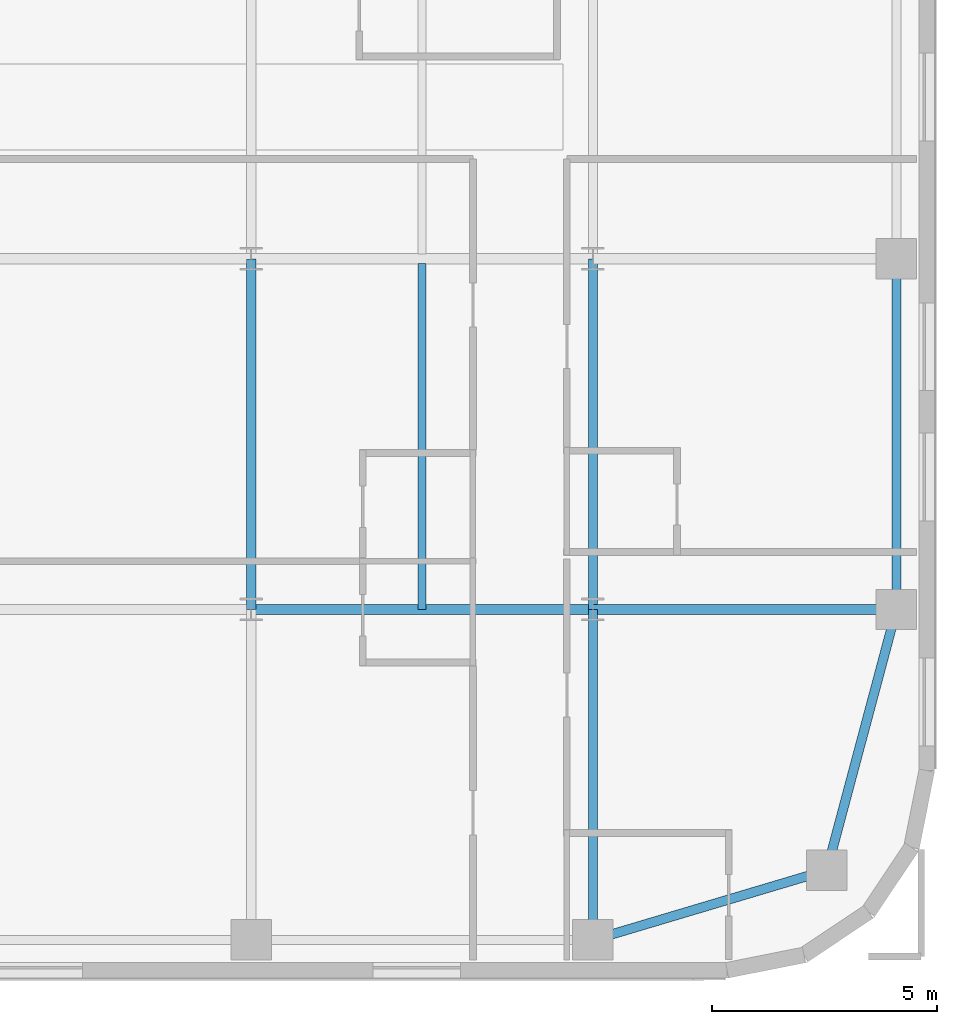
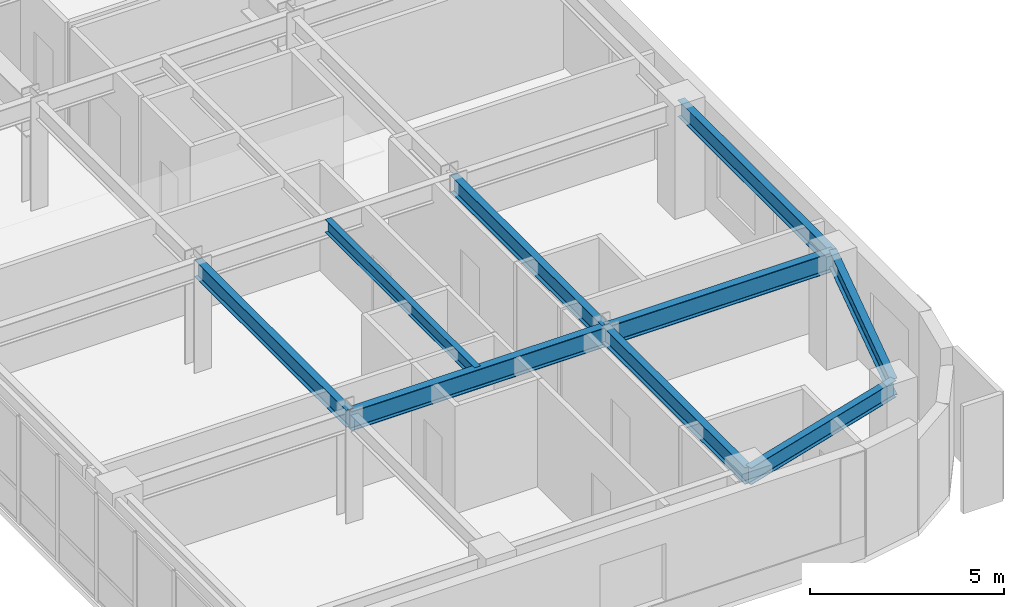
# One storey, part 10 of 24: 9 beams.
"""IFC4 building model written with IfcOpenShell, lengths in metres."""

from ifc_helpers import new_model, si_unit, direction, frame, origin, origin_2d, place, context, subcontext, project, spatial, i_section, extrude, source, transform, mapped, material, material_profile, profile_set, type_object, type_shapes, element, save


model = new_model("IFC4")

# Units and contexts
model_context = context("Model", 3, precision=1e-05, world=origin(), true_north=direction((0.0, 1.0)))
body_context = subcontext(model_context, "Body", "Model", "MODEL_VIEW")
ifc_project = project(units=[si_unit("LENGTHUNIT", "METRE"), si_unit("AREAUNIT", "SQUARE_METRE"), si_unit("VOLUMEUNIT", "CUBIC_METRE"), si_unit("PLANEANGLEUNIT", "RADIAN"), si_unit("MASSUNIT", "GRAM", prefix="KILO")], contexts=[model_context])

# Site, building, storey
site_placement = place(None, origin())
site = spatial("IfcSite", under=ifc_project, at=site_placement, CompositionType="ELEMENT")
building_placement = place(site_placement, origin())
building = spatial("IfcBuilding", under=site, at=building_placement, Name="Tolvann Quenvar Hotel", CompositionType="ELEMENT")
storey_placement = place(building_placement, frame((0.0, 0.0, 88.800048828125)))
storey = spatial("IfcBuildingStorey", under=building, at=storey_placement, Name="L22", CompositionType="ELEMENT", Elevation=88.800048828125)

# Beams
ifc_material = material(Name="Steel Grade 350", Category="steel")
ifc_material_profile_1 = material_profile(ifc_material, i_section(OverallWidth=0.208984375, OverallDepth=0.528076171875, WebThickness=0.009521484375, FlangeThickness=0.01318359375, FilletRadius=0.013916015625, at=origin_2d()), Name="530UB82")
ifc_profile_set_1 = profile_set([ifc_material_profile_1], Name="Steel Grade 350")
beam_type_1 = type_object("IfcBeamType", Name="BM_SPAND_530UB82", PredefinedType="SPANDREL", material=ifc_profile_set_1)
shared_shape_1 = source(origin(), body_context, "Body", "SweptSolid", [
    extrude(i_section(OverallWidth=0.208984375, OverallDepth=0.528076171875, WebThickness=0.009521484375, FlangeThickness=0.01318359375, FilletRadius=0.013916015625, at=origin_2d()), origin(), (0.0, 0.0, 1.0), 5.42626953125),
])
beam_1_placement = place(storey_placement, frame((49.39990234375, 0.85009765625, 3.10595703125), z_axis=(0.958344815522, 0.285613750654, 0.0), x_axis=(-0.285613750654, 0.958344815522, 0.0)))
element("IfcBeam", 1, at=beam_1_placement, inside=storey, type_object=beam_type_1, Name="BM-L22-EW-2-I2-J2", PredefinedType="SPANDREL", context=body_context, shape_type="MappedRepresentation", body=[
    mapped(shared_shape_1, transform((0.0, 0.0, 0.0), x_axis=(1.0, 0.0, 0.0), y_axis=(0.0, 1.0, 0.0), z_axis=(0.0, 0.0, 1.0), scale=1.0)),
])
ifc_material_profile_2 = material_profile(ifc_material, i_section(OverallWidth=0.22900390625, OverallDepth=0.612060546875, WebThickness=0.011962890625, FlangeThickness=0.01953125, FilletRadius=0.013916015625, at=origin_2d()), Name="610UB125")
ifc_profile_set_2 = profile_set([ifc_material_profile_2], Name="Steel Grade 350")
beam_type_2 = type_object("IfcBeamType", Name="BM_GIRD_610UB125", PredefinedType="BEAM", material=ifc_profile_set_2)
shared_shape_2 = source(origin(), body_context, "Body", "SweptSolid", [
    extrude(i_section(OverallWidth=0.22900390625, OverallDepth=0.612060546875, WebThickness=0.011962890625, FlangeThickness=0.01953125, FilletRadius=0.013916015625, at=origin_2d()), origin(), (0.0, 0.0, 1.0), 6.75),
])
beam_2_placement = place(storey_placement, frame((49.39990234375, 8.199951171875, 3.06396484375), z_axis=(1.0, 0.0, 0.0), x_axis=(0.0, 1.0, 0.0)))
element("IfcBeam", 2, at=beam_2_placement, inside=storey, type_object=beam_type_2, Name="BM-L22-EW-3-I3-J3", PredefinedType="BEAM", context=body_context, shape_type="MappedRepresentation", body=[
    mapped(shared_shape_2, transform((0.0, 0.0, 0.0), x_axis=(1.0, 0.0, 0.0), y_axis=(0.0, 1.0, 0.0), z_axis=(0.0, 0.0, 1.0), scale=1.0)),
])
shared_shape_3 = source(origin(), body_context, "Body", "SweptSolid", [
    extrude(i_section(OverallWidth=0.22900390625, OverallDepth=0.612060546875, WebThickness=0.011962890625, FlangeThickness=0.01953125, FilletRadius=0.013916015625, at=origin_2d()), origin(), (0.0, 0.0, 1.0), 7.599853515625),
])
type_shapes(beam_type_2, [shared_shape_2, shared_shape_3])
beam_3_placement = place(storey_placement, frame((41.800048828125, 8.199951171875, 3.06396484375), z_axis=(1.0, 0.0, 0.0), x_axis=(0.0, 1.0, 0.0)))
element("IfcBeam", 3, at=beam_3_placement, inside=storey, type_object=beam_type_2, Name="BM-L22-EW-3-H3-I3", PredefinedType="BEAM", context=body_context, shape_type="MappedRepresentation", body=[
    mapped(shared_shape_3, transform((0.0, 0.0, 0.0), x_axis=(1.0, 0.0, 0.0), y_axis=(0.0, 1.0, 0.0), z_axis=(0.0, 0.0, 1.0), scale=1.0)),
])
shared_shape_4 = source(origin(), body_context, "Body", "SweptSolid", [
    extrude(i_section(OverallWidth=0.208984375, OverallDepth=0.528076171875, WebThickness=0.009521484375, FlangeThickness=0.01318359375, FilletRadius=0.013916015625, at=origin_2d()), origin(), (0.0, 0.0, 1.0), 6.00341796875),
])
beam_4_placement = place(storey_placement, frame((54.60009765625, 2.39990234375, 3.10595703125), z_axis=(0.258148586649, 0.966105225745, 0.0), x_axis=(-0.966105225745, 0.258148586649, 0.0)))
element("IfcBeam", 4, at=beam_4_placement, inside=storey, type_object=beam_type_1, Name="BM-L22-NS-J2-J3", PredefinedType="SPANDREL", context=body_context, shape_type="MappedRepresentation", body=[
    mapped(shared_shape_4, transform((0.0, 0.0, 0.0), x_axis=(1.0, 0.0, 0.0), y_axis=(0.0, 1.0, 0.0), z_axis=(0.0, 0.0, 1.0), scale=1.0)),
])
shared_shape_5 = source(origin(), body_context, "Body", "SweptSolid", [
    extrude(i_section(OverallWidth=0.208984375, OverallDepth=0.528076171875, WebThickness=0.009521484375, FlangeThickness=0.01318359375, FilletRadius=0.013916015625, at=origin_2d()), origin(), (0.0, 0.0, 1.0), 7.800048828125),
])
type_shapes(beam_type_1, [shared_shape_1, shared_shape_4, shared_shape_5])
beam_5_placement = place(storey_placement, frame((56.14990234375, 8.199951171875, 3.10595703125), z_axis=(0.0, 1.0, 0.0), x_axis=(-1.0, 0.0, 0.0)))
element("IfcBeam", 5, at=beam_5_placement, inside=storey, type_object=beam_type_1, Name="BM-L22-NS-J3-J4", PredefinedType="SPANDREL", context=body_context, shape_type="MappedRepresentation", body=[
    mapped(shared_shape_5, transform((0.0, 0.0, 0.0), x_axis=(1.0, 0.0, 0.0), y_axis=(0.0, 1.0, 0.0), z_axis=(0.0, 0.0, 1.0), scale=1.0)),
])
ifc_material_profile_3 = material_profile(ifc_material, i_section(OverallWidth=0.208984375, OverallDepth=0.532958984375, WebThickness=0.01025390625, FlangeThickness=0.015625, FilletRadius=0.013916015625, at=origin_2d()), Name="530UB92")
ifc_profile_set_3 = profile_set([ifc_material_profile_3], Name="Steel Grade 350")
beam_type_3 = type_object("IfcBeamType", Name="BM_GIRD_530UB92", PredefinedType="BEAM", material=ifc_profile_set_3)
shared_shape_6 = source(origin(), body_context, "Body", "SweptSolid", [
    extrude(i_section(OverallWidth=0.208984375, OverallDepth=0.532958984375, WebThickness=0.01025390625, FlangeThickness=0.015625, FilletRadius=0.013916015625, at=origin_2d()), origin(), (0.0, 0.0, 1.0), 7.349853515625),
])
beam_6_placement = place(storey_placement, frame((49.39990234375, 0.85009765625, 3.103515625), z_axis=(0.0, 1.0, 0.0), x_axis=(-1.0, 0.0, 0.0)))
element("IfcBeam", 6, at=beam_6_placement, inside=storey, type_object=beam_type_3, Name="BM-L22-NS-I2-I3", PredefinedType="BEAM", context=body_context, shape_type="MappedRepresentation", body=[
    mapped(shared_shape_6, transform((0.0, 0.0, 0.0), x_axis=(1.0, 0.0, 0.0), y_axis=(0.0, 1.0, 0.0), z_axis=(0.0, 0.0, 1.0), scale=1.0)),
])
shared_shape_7 = source(origin(), body_context, "Body", "SweptSolid", [
    extrude(i_section(OverallWidth=0.208984375, OverallDepth=0.532958984375, WebThickness=0.01025390625, FlangeThickness=0.015625, FilletRadius=0.013916015625, at=origin_2d()), origin(), (0.0, 0.0, 1.0), 7.800048828125),
])
type_shapes(beam_type_3, [shared_shape_6, shared_shape_7])
for number, where, z_axis, x_axis, name in (
    (7, (41.800048828125, 8.199951171875, 3.103515625), (0.0, 1.0, 0.0), (-1.0, 0.0, 0.0), "BM-L22-NS-H3-H4"),
    (8, (49.39990234375, 8.199951171875, 3.103515625), (0.0, 1.0, 0.0), (-1.0, 0.0, 0.0), "BM-L22-NS-I3-I4"),
):
    element("IfcBeam", number, at=place(storey_placement, frame(where, z_axis=z_axis, x_axis=x_axis)), inside=storey, type_object=beam_type_3, Name=name, PredefinedType="BEAM", context=body_context, shape_type="MappedRepresentation", body=[
        mapped(shared_shape_7, transform((0.0, 0.0, 0.0), x_axis=(1.0, 0.0, 0.0), y_axis=(0.0, 1.0, 0.0), z_axis=(0.0, 0.0, 1.0), scale=1.0)),
    ])
ifc_material_profile_4 = material_profile(ifc_material, i_section(OverallWidth=0.177978515625, OverallDepth=0.406005859375, WebThickness=0.0078125, FlangeThickness=0.0126953125, FilletRadius=0.011474609375, at=origin_2d()), Name="410UB60")
ifc_profile_set_4 = profile_set([ifc_material_profile_4], Name="Steel Grade 350")
beam_type_4 = type_object("IfcBeamType", Name="BM_JOIST_410UB60", PredefinedType="JOIST", material=ifc_profile_set_4)
shared_shape_8 = source(origin(), body_context, "Body", "SweptSolid", [
    extrude(i_section(OverallWidth=0.177978515625, OverallDepth=0.406005859375, WebThickness=0.0078125, FlangeThickness=0.0126953125, FilletRadius=0.011474609375, at=origin_2d()), origin(), (0.0, 0.0, 1.0), 7.691650390625),
])
type_shapes(beam_type_4, [shared_shape_8])
beam_7_placement = place(storey_placement, frame((45.60009765625, 8.199951171875, 3.1669921875), z_axis=(0.0, 1.0, 0.0), x_axis=(-1.0, 0.0, 0.0)))
element("IfcBeam", 9, at=beam_7_placement, inside=storey, type_object=beam_type_4, Name="BJ-L22-456-82", PredefinedType="JOIST", context=body_context, shape_type="MappedRepresentation", body=[
    mapped(shared_shape_8, transform((0.0, 0.0, 0.0), x_axis=(1.0, 0.0, 0.0), y_axis=(0.0, 1.0, 0.0), z_axis=(0.0, 0.0, 1.0), scale=1.0)),
])

save(model, "model.ifc")
